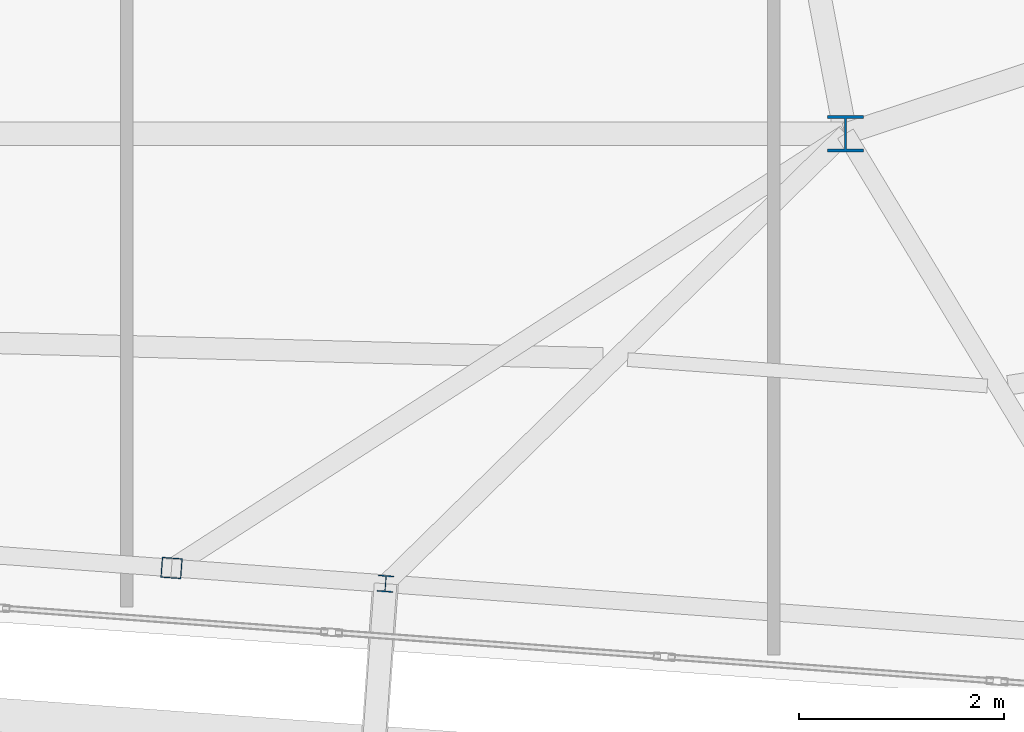
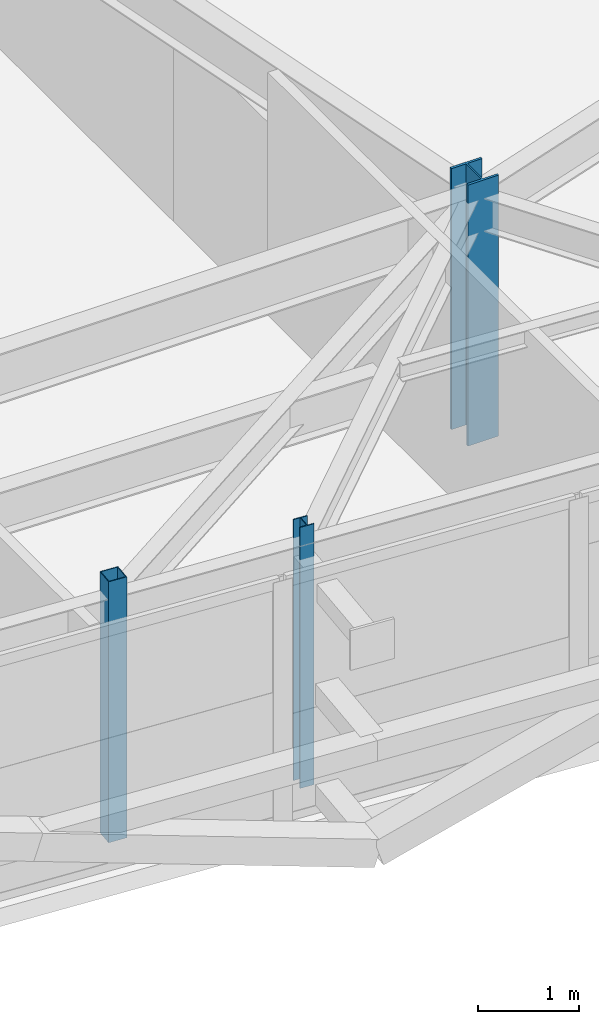
# One storey, part 2 of 42: 3 columns.
"""IFC4 building model written with IfcOpenShell, lengths in metres."""

from ifc_helpers import new_model, si_unit, direction, frame, origin, origin_2d, place, context, subcontext, project, spatial, hollow_rectangle, i_section, extrude, source, transform, mapped, material, material_profile, profile_set, type_object, element, save


model = new_model("IFC4")

# Units and contexts
model_context = context("Model", 3, precision=1e-05, world=origin(), true_north=direction((0.0, 1.0)))
body_context = subcontext(model_context, "Body", "Model", "MODEL_VIEW")
ifc_project = project(units=[si_unit("LENGTHUNIT", "METRE"), si_unit("AREAUNIT", "SQUARE_METRE"), si_unit("VOLUMEUNIT", "CUBIC_METRE"), si_unit("PLANEANGLEUNIT", "RADIAN"), si_unit("MASSUNIT", "GRAM", prefix="KILO")], contexts=[model_context])

# Site, building, storey
site_placement = place(None, origin())
site = spatial("IfcSite", under=ifc_project, at=site_placement, CompositionType="ELEMENT")
building_placement = place(site_placement, origin())
building = spatial("IfcBuilding", under=site, at=building_placement, Name="Taldren Reach Tower", CompositionType="ELEMENT")
storey_placement = place(building_placement, frame((0.0, 0.0, 220.85009765625)))
storey = spatial("IfcBuildingStorey", under=building, at=storey_placement, Name="L67", CompositionType="ELEMENT", Elevation=220.85009765625)

# Columns
ifc_material_1 = material(Name="Steel Gr 350 (350PLUS)", Category="steel")
ifc_material_profile_1 = material_profile(ifc_material_1, i_section(OverallWidth=0.35009765625, OverallDepth=0.35595703125, WebThickness=0.01806640625, FlangeThickness=0.028076171875, at=origin_2d()), Name="350WC197")
ifc_profile_set_1 = profile_set([ifc_material_profile_1], Name="Steel Gr 350 (350PLUS)")
column_type_1 = type_object("IfcColumnType", Name="COL-WC350", PredefinedType="COLUMN", material=ifc_profile_set_1)
shared_shape_1 = source(origin(), body_context, "Body", "SweptSolid", [
    extrude(i_section(OverallWidth=0.35009765625, OverallDepth=0.35595703125, WebThickness=0.01806640625, FlangeThickness=0.028076171875, at=origin_2d()), origin(), (0.0, 0.0, 1.0), 3.14990234375),
])
column_1_placement = place(storey_placement, frame((42.0, 9.199951171875, 0.0), z_axis=(0.0, 0.0, 1.0), x_axis=(1.0, 0.0, 0.0)))
element("IfcColumn", 1, at=column_1_placement, inside=storey, type_object=column_type_1, Name="Mega column MC-PJE L67", PredefinedType="COLUMN", context=body_context, shape_type="MappedRepresentation", body=[
    mapped(shared_shape_1, transform((0.0, 0.0, 0.0), scale=1.0)),
])
ifc_material_2 = material(Name="Steel Gr 350 (C350L0)", Category="steel")
ifc_material_profile_2 = material_profile(ifc_material_2, hollow_rectangle(XDim=0.199951171875, YDim=0.199951171875, WallThickness=0.009033203125, at=origin_2d()), Name="200x200x9.0SHS")
ifc_profile_set_2 = profile_set([ifc_material_profile_2], Name="Steel Gr 350 (C350L0)")
column_type_2 = type_object("IfcColumnType", Name="COL-SHS200", PredefinedType="COLUMN", material=ifc_profile_set_2)
shared_shape_2 = source(origin(), body_context, "Body", "SweptSolid", [
    extrude(hollow_rectangle(XDim=0.199951171875, YDim=0.199951171875, WallThickness=0.009033203125, at=origin_2d()), origin(), (0.0, 0.0, 1.0), 3.14990234375),
])
column_2_placement = place(storey_placement, frame((35.43603515625, 4.9697265625, 0.0), z_axis=(0.0, 0.0, 1.0), x_axis=(0.997314477224, -0.073238197128, 0.0)))
element("IfcColumn", 2, at=column_2_placement, inside=storey, type_object=column_type_2, Name="Block B5 perimeter column PJ2 L67", PredefinedType="COLUMN", context=body_context, shape_type="MappedRepresentation", body=[
    mapped(shared_shape_2, transform((0.0, 0.0, 0.0), scale=1.0)),
])
ifc_material_profile_3 = material_profile(ifc_material_1, i_section(OverallWidth=0.154052734375, OverallDepth=0.162109375, WebThickness=0.008056640625, FlangeThickness=0.011474609375, at=origin_2d()), Name="150UC37.2")
ifc_profile_set_3 = profile_set([ifc_material_profile_3], Name="Steel Gr 350 (350PLUS)")
column_type_3 = type_object("IfcColumnType", Name="COL-UC150", PredefinedType="COLUMN", material=ifc_profile_set_3)
shared_shape_3 = source(origin(), body_context, "Body", "SweptSolid", [
    extrude(i_section(OverallWidth=0.154052734375, OverallDepth=0.162109375, WebThickness=0.008056640625, FlangeThickness=0.011474609375, at=origin_2d()), origin(), (0.0, 0.0, 1.0), 3.14990234375),
])
column_3_placement = place(storey_placement, frame((37.5205078125, 4.81689453125, 0.0), z_axis=(0.0, 0.0, 1.0), x_axis=(0.997314477224, -0.073238197128, 0.0)))
element("IfcColumn", 3, at=column_3_placement, inside=storey, type_object=column_type_3, Name="Block B5 perimeter column S4 L67", PredefinedType="COLUMN", context=body_context, shape_type="MappedRepresentation", body=[
    mapped(shared_shape_3, transform((0.0, 0.0, 0.0), scale=1.0)),
])

save(model, "model.ifc")
